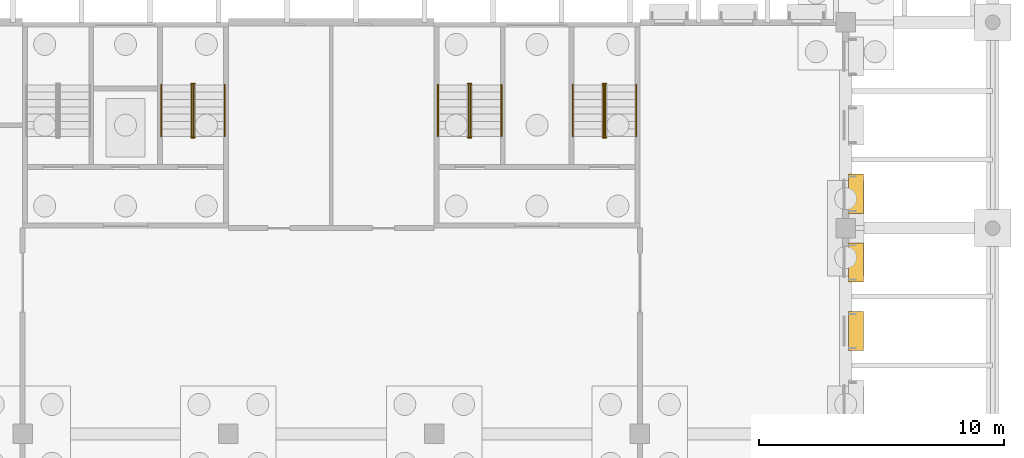
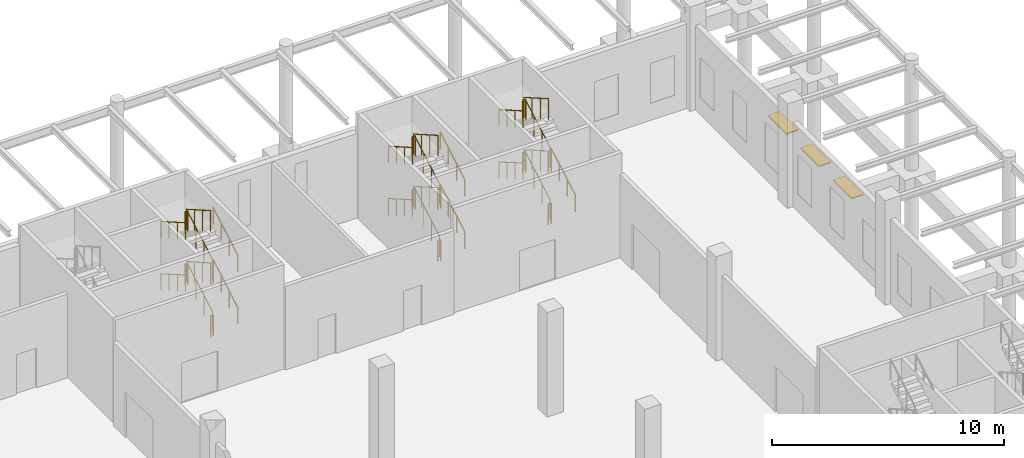
# One storey, part 80 of 82: 35 railings, 3 shading devices.
"""IFC4 building model written with IfcOpenShell, lengths in metres."""

from ifc_helpers import new_model, si_unit, direction, frame, origin, origin_2d, place, context, subcontext, project, spatial, rectangle, circle, extrude, material, material_profile, profile_set, type_object, element, save


model = new_model("IFC4")

# Units and contexts
model_context = context("Model", 3, precision=1e-05, world=origin(), true_north=direction((0.0, 1.0)))
body_context = subcontext(model_context, "Body", "Model", "MODEL_VIEW")
ifc_project = project(units=[si_unit("LENGTHUNIT", "METRE"), si_unit("AREAUNIT", "SQUARE_METRE"), si_unit("VOLUMEUNIT", "CUBIC_METRE"), si_unit("PLANEANGLEUNIT", "RADIAN"), si_unit("MASSUNIT", "GRAM", prefix="KILO")], contexts=[model_context])

# Site, building, storey
site_placement = place(None, origin())
site = spatial("IfcSite", under=ifc_project, at=site_placement, CompositionType="ELEMENT")
building_placement = place(site_placement, origin())
building = spatial("IfcBuilding", under=site, at=building_placement, Name="Almond Square Museum", CompositionType="ELEMENT")
storey_placement = place(building_placement, origin())
storey = spatial("IfcBuildingStorey", under=building, at=storey_placement, Name="L00", CompositionType="ELEMENT", Elevation=0.0)

# Railings
ifc_material_1 = material(Name="Stainless steel and laminated glass", Category="steel")
railing_type_1 = type_object("IfcRailingType", Name="Stair guard 1100 steel and glass", PredefinedType="GUARDRAIL", material=ifc_material_1)
railing_1_placement = place(storey_placement, frame((141.889892578125, 104.550048828125, 0.171875)))
element("IfcRailing", 1, at=railing_1_placement, inside=storey, type_object=railing_type_1, Name="L00 ST-05 stair guard 1", PredefinedType="GUARDRAIL", context=body_context, shape_type="SweptSolid", body=[
    extrude(circle(Radius=0.02392578125, at=origin_2d()), frame((0.0, 0.0, 1.076171875), z_axis=(0.0, 0.867671429157, 0.497138100556), x_axis=(-1.0, 0.0, 0.0)), (0.0, 0.0, 1.0), 2.420166015625),
    extrude(circle(Radius=0.02099609375, at=origin_2d()), origin(), (0.0, 0.0, 1.0), 1.052001953125),
    extrude(circle(Radius=0.02099609375, at=origin_2d()), frame((0.0, 0.699951171875, 0.401123046875)), (0.0, 0.0, 1.0), 1.052001953125),
    extrude(circle(Radius=0.02099609375, at=origin_2d()), frame((0.0, 1.39990234375, 0.802001953125)), (0.0, 0.0, 1.0), 1.052001953125),
    extrude(circle(Radius=0.02099609375, at=origin_2d()), frame((0.0, 2.099853515625, 1.203125)), (0.0, 0.0, 1.0), 1.052001953125),
])
railing_2_placement = place(storey_placement, frame((141.919921875, 106.699951171875, 1.375)))
element("IfcRailing", 2, at=railing_2_placement, inside=storey, type_object=railing_type_1, Name="L00 ST-05 stair guard 2", PredefinedType="GUARDRAIL", context=body_context, shape_type="SweptSolid", body=[
    extrude(circle(Radius=0.02392578125, at=origin_2d()), frame((0.0, 0.0, 1.076171875), z_axis=(-1.0, 0.0, 0.0), x_axis=(0.0, -1.0, 0.0)), (0.0, 0.0, 1.0), 0.139892578125),
    extrude(circle(Radius=0.02099609375, at=origin_2d()), origin(), (0.0, 0.0, 1.0), 1.052001953125),
    extrude(circle(Radius=0.02099609375, at=origin_2d()), frame((-0.139892578125, 0.0, 0.0)), (0.0, 0.0, 1.0), 1.052001953125),
])
railing_3_placement = place(storey_placement, frame((141.81005859375, 106.64990234375, 1.546875)))
element("IfcRailing", 3, at=railing_3_placement, inside=storey, type_object=railing_type_1, Name="L00 ST-05 stair guard 3", PredefinedType="GUARDRAIL", context=body_context, shape_type="SweptSolid", body=[
    extrude(circle(Radius=0.02392578125, at=origin_2d()), frame((0.0, 0.0, 1.076171875), z_axis=(0.0, -0.867671429157, 0.497138100556), x_axis=(1.0, 0.0, 0.0)), (0.0, 0.0, 1.0), 2.420166015625),
    extrude(circle(Radius=0.02099609375, at=origin_2d()), origin(), (0.0, 0.0, 1.0), 1.052001953125),
    extrude(circle(Radius=0.02099609375, at=origin_2d()), frame((0.0, -0.699951171875, 0.401123046875)), (0.0, 0.0, 1.0), 1.052001953125),
    extrude(circle(Radius=0.02099609375, at=origin_2d()), frame((0.0, -1.39990234375, 0.802001953125)), (0.0, 0.0, 1.0), 1.052001953125),
    extrude(circle(Radius=0.02099609375, at=origin_2d()), frame((0.0, -2.099853515625, 1.203125)), (0.0, 0.0, 1.0), 1.052001953125),
])
railing_4_placement = place(storey_placement, frame((141.919921875, 104.5, 2.75)))
element("IfcRailing", 4, at=railing_4_placement, inside=storey, type_object=railing_type_1, Name="L00 ST-05 stair guard 4", PredefinedType="GUARDRAIL", context=body_context, shape_type="SweptSolid", body=[
    extrude(circle(Radius=0.02392578125, at=origin_2d()), frame((0.0, 0.0, 1.076171875), z_axis=(-1.0, 0.0, 0.0), x_axis=(0.0, -1.0, 0.0)), (0.0, 0.0, 1.0), 0.139892578125),
    extrude(circle(Radius=0.02099609375, at=origin_2d()), origin(), (0.0, 0.0, 1.0), 1.052001953125),
    extrude(circle(Radius=0.02099609375, at=origin_2d()), frame((-0.139892578125, 0.0, 0.0)), (0.0, 0.0, 1.0), 1.052001953125),
])
railing_5_placement = place(storey_placement, frame((141.889892578125, 104.550048828125, 2.921875)))
element("IfcRailing", 5, at=railing_5_placement, inside=storey, type_object=railing_type_1, Name="L00 ST-05 stair guard 5", PredefinedType="GUARDRAIL", context=body_context, shape_type="SweptSolid", body=[
    extrude(circle(Radius=0.02392578125, at=origin_2d()), frame((0.0, 0.0, 1.076171875), z_axis=(0.0, 0.867671429157, 0.497138100556), x_axis=(-1.0, 0.0, 0.0)), (0.0, 0.0, 1.0), 2.420166015625),
    extrude(circle(Radius=0.02099609375, at=origin_2d()), origin(), (0.0, 0.0, 1.0), 1.052001953125),
    extrude(circle(Radius=0.02099609375, at=origin_2d()), frame((0.0, 0.699951171875, 0.401123046875)), (0.0, 0.0, 1.0), 1.052001953125),
    extrude(circle(Radius=0.02099609375, at=origin_2d()), frame((0.0, 1.39990234375, 0.802001953125)), (0.0, 0.0, 1.0), 1.052001953125),
    extrude(circle(Radius=0.02099609375, at=origin_2d()), frame((0.0, 2.099853515625, 1.203125)), (0.0, 0.0, 1.0), 1.052001953125),
])
railing_6_placement = place(storey_placement, frame((141.919921875, 106.699951171875, 4.125)))
element("IfcRailing", 6, at=railing_6_placement, inside=storey, type_object=railing_type_1, Name="L00 ST-05 stair guard 6", PredefinedType="GUARDRAIL", context=body_context, shape_type="SweptSolid", body=[
    extrude(circle(Radius=0.02392578125, at=origin_2d()), frame((0.0, 0.0, 1.076171875), z_axis=(-1.0, 0.0, 0.0), x_axis=(0.0, -1.0, 0.0)), (0.0, 0.0, 1.0), 0.139892578125),
    extrude(circle(Radius=0.02099609375, at=origin_2d()), origin(), (0.0, 0.0, 1.0), 1.052001953125),
    extrude(circle(Radius=0.02099609375, at=origin_2d()), frame((-0.139892578125, 0.0, 0.0)), (0.0, 0.0, 1.0), 1.052001953125),
])
railing_7_placement = place(storey_placement, frame((141.81005859375, 106.64990234375, 4.296875)))
element("IfcRailing", 7, at=railing_7_placement, inside=storey, type_object=railing_type_1, Name="L00 ST-05 stair guard 7", PredefinedType="GUARDRAIL", context=body_context, shape_type="SweptSolid", body=[
    extrude(circle(Radius=0.02392578125, at=origin_2d()), frame((0.0, 0.0, 1.076171875), z_axis=(0.0, -0.867671429157, 0.497138100556), x_axis=(1.0, 0.0, 0.0)), (0.0, 0.0, 1.0), 2.420166015625),
    extrude(circle(Radius=0.02099609375, at=origin_2d()), origin(), (0.0, 0.0, 1.0), 1.052001953125),
    extrude(circle(Radius=0.02099609375, at=origin_2d()), frame((0.0, -0.699951171875, 0.401123046875)), (0.0, 0.0, 1.0), 1.052001953125),
    extrude(circle(Radius=0.02099609375, at=origin_2d()), frame((0.0, -1.39990234375, 0.802001953125)), (0.0, 0.0, 1.0), 1.052001953125),
    extrude(circle(Radius=0.02099609375, at=origin_2d()), frame((0.0, -2.099853515625, 1.203125)), (0.0, 0.0, 1.0), 1.052001953125),
])
railing_8_placement = place(storey_placement, frame((141.919921875, 104.5, 0.0)))
element("IfcRailing", 8, at=railing_8_placement, inside=storey, type_object=railing_type_1, Name="L00 ST-05 stair guard 8", PredefinedType="GUARDRAIL", context=body_context, shape_type="SweptSolid", body=[
    extrude(circle(Radius=0.02392578125, at=origin_2d()), frame((0.0, 0.0, 1.076171875), z_axis=(-1.0, 0.0, 0.0), x_axis=(0.0, -1.0, 0.0)), (0.0, 0.0, 1.0), 0.139892578125),
    extrude(circle(Radius=0.02099609375, at=origin_2d()), origin(), (0.0, 0.0, 1.0), 1.052001953125),
    extrude(circle(Radius=0.02099609375, at=origin_2d()), frame((-0.139892578125, 0.0, 0.0)), (0.0, 0.0, 1.0), 1.052001953125),
])
railing_9_placement = place(storey_placement, frame((147.389892578125, 104.550048828125, 0.171875)))
element("IfcRailing", 9, at=railing_9_placement, inside=storey, type_object=railing_type_1, Name="L00 ST-06 stair guard 1", PredefinedType="GUARDRAIL", context=body_context, shape_type="SweptSolid", body=[
    extrude(circle(Radius=0.02392578125, at=origin_2d()), frame((0.0, 0.0, 1.076171875), z_axis=(0.0, 0.867671429157, 0.497138100556), x_axis=(-1.0, 0.0, 0.0)), (0.0, 0.0, 1.0), 2.420166015625),
    extrude(circle(Radius=0.02099609375, at=origin_2d()), origin(), (0.0, 0.0, 1.0), 1.052001953125),
    extrude(circle(Radius=0.02099609375, at=origin_2d()), frame((0.0, 0.699951171875, 0.401123046875)), (0.0, 0.0, 1.0), 1.052001953125),
    extrude(circle(Radius=0.02099609375, at=origin_2d()), frame((0.0, 1.39990234375, 0.802001953125)), (0.0, 0.0, 1.0), 1.052001953125),
    extrude(circle(Radius=0.02099609375, at=origin_2d()), frame((0.0, 2.099853515625, 1.203125)), (0.0, 0.0, 1.0), 1.052001953125),
])
railing_10_placement = place(storey_placement, frame((147.419921875, 106.699951171875, 1.375)))
element("IfcRailing", 10, at=railing_10_placement, inside=storey, type_object=railing_type_1, Name="L00 ST-06 stair guard 2", PredefinedType="GUARDRAIL", context=body_context, shape_type="SweptSolid", body=[
    extrude(circle(Radius=0.02392578125, at=origin_2d()), frame((0.0, 0.0, 1.076171875), z_axis=(-1.0, 0.0, 0.0), x_axis=(0.0, -1.0, 0.0)), (0.0, 0.0, 1.0), 0.139892578125),
    extrude(circle(Radius=0.02099609375, at=origin_2d()), origin(), (0.0, 0.0, 1.0), 1.052001953125),
    extrude(circle(Radius=0.02099609375, at=origin_2d()), frame((-0.139892578125, 0.0, 0.0)), (0.0, 0.0, 1.0), 1.052001953125),
])
railing_11_placement = place(storey_placement, frame((147.31005859375, 106.64990234375, 1.546875)))
element("IfcRailing", 11, at=railing_11_placement, inside=storey, type_object=railing_type_1, Name="L00 ST-06 stair guard 3", PredefinedType="GUARDRAIL", context=body_context, shape_type="SweptSolid", body=[
    extrude(circle(Radius=0.02392578125, at=origin_2d()), frame((0.0, 0.0, 1.076171875), z_axis=(0.0, -0.867671429157, 0.497138100556), x_axis=(1.0, 0.0, 0.0)), (0.0, 0.0, 1.0), 2.420166015625),
    extrude(circle(Radius=0.02099609375, at=origin_2d()), origin(), (0.0, 0.0, 1.0), 1.052001953125),
    extrude(circle(Radius=0.02099609375, at=origin_2d()), frame((0.0, -0.699951171875, 0.401123046875)), (0.0, 0.0, 1.0), 1.052001953125),
    extrude(circle(Radius=0.02099609375, at=origin_2d()), frame((0.0, -1.39990234375, 0.802001953125)), (0.0, 0.0, 1.0), 1.052001953125),
    extrude(circle(Radius=0.02099609375, at=origin_2d()), frame((0.0, -2.099853515625, 1.203125)), (0.0, 0.0, 1.0), 1.052001953125),
])
railing_12_placement = place(storey_placement, frame((147.419921875, 104.5, 2.75)))
element("IfcRailing", 12, at=railing_12_placement, inside=storey, type_object=railing_type_1, Name="L00 ST-06 stair guard 4", PredefinedType="GUARDRAIL", context=body_context, shape_type="SweptSolid", body=[
    extrude(circle(Radius=0.02392578125, at=origin_2d()), frame((0.0, 0.0, 1.076171875), z_axis=(-1.0, 0.0, 0.0), x_axis=(0.0, -1.0, 0.0)), (0.0, 0.0, 1.0), 0.139892578125),
    extrude(circle(Radius=0.02099609375, at=origin_2d()), origin(), (0.0, 0.0, 1.0), 1.052001953125),
    extrude(circle(Radius=0.02099609375, at=origin_2d()), frame((-0.139892578125, 0.0, 0.0)), (0.0, 0.0, 1.0), 1.052001953125),
])
railing_13_placement = place(storey_placement, frame((147.389892578125, 104.550048828125, 2.921875)))
element("IfcRailing", 13, at=railing_13_placement, inside=storey, type_object=railing_type_1, Name="L00 ST-06 stair guard 5", PredefinedType="GUARDRAIL", context=body_context, shape_type="SweptSolid", body=[
    extrude(circle(Radius=0.02392578125, at=origin_2d()), frame((0.0, 0.0, 1.076171875), z_axis=(0.0, 0.867671429157, 0.497138100556), x_axis=(-1.0, 0.0, 0.0)), (0.0, 0.0, 1.0), 2.420166015625),
    extrude(circle(Radius=0.02099609375, at=origin_2d()), origin(), (0.0, 0.0, 1.0), 1.052001953125),
    extrude(circle(Radius=0.02099609375, at=origin_2d()), frame((0.0, 0.699951171875, 0.401123046875)), (0.0, 0.0, 1.0), 1.052001953125),
    extrude(circle(Radius=0.02099609375, at=origin_2d()), frame((0.0, 1.39990234375, 0.802001953125)), (0.0, 0.0, 1.0), 1.052001953125),
    extrude(circle(Radius=0.02099609375, at=origin_2d()), frame((0.0, 2.099853515625, 1.203125)), (0.0, 0.0, 1.0), 1.052001953125),
])
railing_14_placement = place(storey_placement, frame((147.419921875, 106.699951171875, 4.125)))
element("IfcRailing", 14, at=railing_14_placement, inside=storey, type_object=railing_type_1, Name="L00 ST-06 stair guard 6", PredefinedType="GUARDRAIL", context=body_context, shape_type="SweptSolid", body=[
    extrude(circle(Radius=0.02392578125, at=origin_2d()), frame((0.0, 0.0, 1.076171875), z_axis=(-1.0, 0.0, 0.0), x_axis=(0.0, -1.0, 0.0)), (0.0, 0.0, 1.0), 0.139892578125),
    extrude(circle(Radius=0.02099609375, at=origin_2d()), origin(), (0.0, 0.0, 1.0), 1.052001953125),
    extrude(circle(Radius=0.02099609375, at=origin_2d()), frame((-0.139892578125, 0.0, 0.0)), (0.0, 0.0, 1.0), 1.052001953125),
])
railing_15_placement = place(storey_placement, frame((147.31005859375, 106.64990234375, 4.296875)))
element("IfcRailing", 15, at=railing_15_placement, inside=storey, type_object=railing_type_1, Name="L00 ST-06 stair guard 7", PredefinedType="GUARDRAIL", context=body_context, shape_type="SweptSolid", body=[
    extrude(circle(Radius=0.02392578125, at=origin_2d()), frame((0.0, 0.0, 1.076171875), z_axis=(0.0, -0.867671429157, 0.497138100556), x_axis=(1.0, 0.0, 0.0)), (0.0, 0.0, 1.0), 2.420166015625),
    extrude(circle(Radius=0.02099609375, at=origin_2d()), origin(), (0.0, 0.0, 1.0), 1.052001953125),
    extrude(circle(Radius=0.02099609375, at=origin_2d()), frame((0.0, -0.699951171875, 0.401123046875)), (0.0, 0.0, 1.0), 1.052001953125),
    extrude(circle(Radius=0.02099609375, at=origin_2d()), frame((0.0, -1.39990234375, 0.802001953125)), (0.0, 0.0, 1.0), 1.052001953125),
    extrude(circle(Radius=0.02099609375, at=origin_2d()), frame((0.0, -2.099853515625, 1.203125)), (0.0, 0.0, 1.0), 1.052001953125),
])
railing_16_placement = place(storey_placement, frame((147.419921875, 104.5, 0.0)))
element("IfcRailing", 16, at=railing_16_placement, inside=storey, type_object=railing_type_1, Name="L00 ST-06 stair guard 8", PredefinedType="GUARDRAIL", context=body_context, shape_type="SweptSolid", body=[
    extrude(circle(Radius=0.02392578125, at=origin_2d()), frame((0.0, 0.0, 1.076171875), z_axis=(-1.0, 0.0, 0.0), x_axis=(0.0, -1.0, 0.0)), (0.0, 0.0, 1.0), 0.139892578125),
    extrude(circle(Radius=0.02099609375, at=origin_2d()), origin(), (0.0, 0.0, 1.0), 1.052001953125),
    extrude(circle(Radius=0.02099609375, at=origin_2d()), frame((-0.139892578125, 0.0, 0.0)), (0.0, 0.0, 1.0), 1.052001953125),
])
railing_17_placement = place(storey_placement, frame((130.590087890625, 104.550048828125, 0.171875)))
element("IfcRailing", 17, at=railing_17_placement, inside=storey, type_object=railing_type_1, Name="L00 ST-08 stair guard 1", PredefinedType="GUARDRAIL", context=body_context, shape_type="SweptSolid", body=[
    extrude(circle(Radius=0.02392578125, at=origin_2d()), frame((0.0, 0.0, 1.076171875), z_axis=(0.0, 0.867671429157, 0.497138100556), x_axis=(-1.0, 0.0, 0.0)), (0.0, 0.0, 1.0), 2.420166015625),
    extrude(circle(Radius=0.02099609375, at=origin_2d()), origin(), (0.0, 0.0, 1.0), 1.052001953125),
    extrude(circle(Radius=0.02099609375, at=origin_2d()), frame((0.0, 0.699951171875, 0.401123046875)), (0.0, 0.0, 1.0), 1.052001953125),
    extrude(circle(Radius=0.02099609375, at=origin_2d()), frame((0.0, 1.39990234375, 0.802001953125)), (0.0, 0.0, 1.0), 1.052001953125),
    extrude(circle(Radius=0.02099609375, at=origin_2d()), frame((0.0, 2.099853515625, 1.203125)), (0.0, 0.0, 1.0), 1.052001953125),
])
railing_18_placement = place(storey_placement, frame((130.6201171875, 106.699951171875, 1.375)))
element("IfcRailing", 18, at=railing_18_placement, inside=storey, type_object=railing_type_1, Name="L00 ST-08 stair guard 2", PredefinedType="GUARDRAIL", context=body_context, shape_type="SweptSolid", body=[
    extrude(circle(Radius=0.02392578125, at=origin_2d()), frame((0.0, 0.0, 1.076171875), z_axis=(-1.0, 0.0, 0.0), x_axis=(0.0, -1.0, 0.0)), (0.0, 0.0, 1.0), 0.14013671875),
    extrude(circle(Radius=0.02099609375, at=origin_2d()), origin(), (0.0, 0.0, 1.0), 1.052001953125),
    extrude(circle(Radius=0.02099609375, at=origin_2d()), frame((-0.14013671875, 0.0, 0.0)), (0.0, 0.0, 1.0), 1.052001953125),
])
railing_19_placement = place(storey_placement, frame((130.510009765625, 106.64990234375, 1.546875)))
element("IfcRailing", 19, at=railing_19_placement, inside=storey, type_object=railing_type_1, Name="L00 ST-08 stair guard 3", PredefinedType="GUARDRAIL", context=body_context, shape_type="SweptSolid", body=[
    extrude(circle(Radius=0.02392578125, at=origin_2d()), frame((0.0, 0.0, 1.076171875), z_axis=(0.0, -0.867671429157, 0.497138100556), x_axis=(1.0, 0.0, 0.0)), (0.0, 0.0, 1.0), 2.420166015625),
    extrude(circle(Radius=0.02099609375, at=origin_2d()), origin(), (0.0, 0.0, 1.0), 1.052001953125),
    extrude(circle(Radius=0.02099609375, at=origin_2d()), frame((0.0, -0.699951171875, 0.401123046875)), (0.0, 0.0, 1.0), 1.052001953125),
    extrude(circle(Radius=0.02099609375, at=origin_2d()), frame((0.0, -1.39990234375, 0.802001953125)), (0.0, 0.0, 1.0), 1.052001953125),
    extrude(circle(Radius=0.02099609375, at=origin_2d()), frame((0.0, -2.099853515625, 1.203125)), (0.0, 0.0, 1.0), 1.052001953125),
])
railing_20_placement = place(storey_placement, frame((130.6201171875, 104.5, 2.75)))
element("IfcRailing", 20, at=railing_20_placement, inside=storey, type_object=railing_type_1, Name="L00 ST-08 stair guard 4", PredefinedType="GUARDRAIL", context=body_context, shape_type="SweptSolid", body=[
    extrude(circle(Radius=0.02392578125, at=origin_2d()), frame((0.0, 0.0, 1.076171875), z_axis=(-1.0, 0.0, 0.0), x_axis=(0.0, -1.0, 0.0)), (0.0, 0.0, 1.0), 0.14013671875),
    extrude(circle(Radius=0.02099609375, at=origin_2d()), origin(), (0.0, 0.0, 1.0), 1.052001953125),
    extrude(circle(Radius=0.02099609375, at=origin_2d()), frame((-0.14013671875, 0.0, 0.0)), (0.0, 0.0, 1.0), 1.052001953125),
])
railing_21_placement = place(storey_placement, frame((130.590087890625, 104.550048828125, 2.921875)))
element("IfcRailing", 21, at=railing_21_placement, inside=storey, type_object=railing_type_1, Name="L00 ST-08 stair guard 5", PredefinedType="GUARDRAIL", context=body_context, shape_type="SweptSolid", body=[
    extrude(circle(Radius=0.02392578125, at=origin_2d()), frame((0.0, 0.0, 1.076171875), z_axis=(0.0, 0.867671429157, 0.497138100556), x_axis=(-1.0, 0.0, 0.0)), (0.0, 0.0, 1.0), 2.420166015625),
    extrude(circle(Radius=0.02099609375, at=origin_2d()), origin(), (0.0, 0.0, 1.0), 1.052001953125),
    extrude(circle(Radius=0.02099609375, at=origin_2d()), frame((0.0, 0.699951171875, 0.401123046875)), (0.0, 0.0, 1.0), 1.052001953125),
    extrude(circle(Radius=0.02099609375, at=origin_2d()), frame((0.0, 1.39990234375, 0.802001953125)), (0.0, 0.0, 1.0), 1.052001953125),
    extrude(circle(Radius=0.02099609375, at=origin_2d()), frame((0.0, 2.099853515625, 1.203125)), (0.0, 0.0, 1.0), 1.052001953125),
])
railing_22_placement = place(storey_placement, frame((130.6201171875, 106.699951171875, 4.125)))
element("IfcRailing", 22, at=railing_22_placement, inside=storey, type_object=railing_type_1, Name="L00 ST-08 stair guard 6", PredefinedType="GUARDRAIL", context=body_context, shape_type="SweptSolid", body=[
    extrude(circle(Radius=0.02392578125, at=origin_2d()), frame((0.0, 0.0, 1.076171875), z_axis=(-1.0, 0.0, 0.0), x_axis=(0.0, -1.0, 0.0)), (0.0, 0.0, 1.0), 0.14013671875),
    extrude(circle(Radius=0.02099609375, at=origin_2d()), origin(), (0.0, 0.0, 1.0), 1.052001953125),
    extrude(circle(Radius=0.02099609375, at=origin_2d()), frame((-0.14013671875, 0.0, 0.0)), (0.0, 0.0, 1.0), 1.052001953125),
])
railing_23_placement = place(storey_placement, frame((130.510009765625, 106.64990234375, 4.296875)))
element("IfcRailing", 23, at=railing_23_placement, inside=storey, type_object=railing_type_1, Name="L00 ST-08 stair guard 7", PredefinedType="GUARDRAIL", context=body_context, shape_type="SweptSolid", body=[
    extrude(circle(Radius=0.02392578125, at=origin_2d()), frame((0.0, 0.0, 1.076171875), z_axis=(0.0, -0.867671429157, 0.497138100556), x_axis=(1.0, 0.0, 0.0)), (0.0, 0.0, 1.0), 2.420166015625),
    extrude(circle(Radius=0.02099609375, at=origin_2d()), origin(), (0.0, 0.0, 1.0), 1.052001953125),
    extrude(circle(Radius=0.02099609375, at=origin_2d()), frame((0.0, -0.699951171875, 0.401123046875)), (0.0, 0.0, 1.0), 1.052001953125),
    extrude(circle(Radius=0.02099609375, at=origin_2d()), frame((0.0, -1.39990234375, 0.802001953125)), (0.0, 0.0, 1.0), 1.052001953125),
    extrude(circle(Radius=0.02099609375, at=origin_2d()), frame((0.0, -2.099853515625, 1.203125)), (0.0, 0.0, 1.0), 1.052001953125),
])
railing_24_placement = place(storey_placement, frame((130.6201171875, 104.5, 0.0)))
element("IfcRailing", 24, at=railing_24_placement, inside=storey, type_object=railing_type_1, Name="L00 ST-08 stair guard 8", PredefinedType="GUARDRAIL", context=body_context, shape_type="SweptSolid", body=[
    extrude(circle(Radius=0.02392578125, at=origin_2d()), frame((0.0, 0.0, 1.076171875), z_axis=(-1.0, 0.0, 0.0), x_axis=(0.0, -1.0, 0.0)), (0.0, 0.0, 1.0), 0.14013671875),
    extrude(circle(Radius=0.02099609375, at=origin_2d()), origin(), (0.0, 0.0, 1.0), 1.052001953125),
    extrude(circle(Radius=0.02099609375, at=origin_2d()), frame((-0.14013671875, 0.0, 0.0)), (0.0, 0.0, 1.0), 1.052001953125),
])
ifc_material_2 = material(Name="Stainless steel", Category="steel")
railing_type_2 = type_object("IfcRailingType", Name="Stair handrail 900 steel", PredefinedType="HANDRAIL", material=ifc_material_2)
railing_25_placement = place(storey_placement, frame((143.14501953125, 104.550048828125, 0.171875)))
element("IfcRailing", 25, at=railing_25_placement, inside=storey, type_object=railing_type_2, Name="L00 ST-05 stair handrail 1", PredefinedType="HANDRAIL", context=body_context, shape_type="SweptSolid", body=[
    extrude(circle(Radius=0.02392578125, at=origin_2d()), frame((0.0, 0.0, 0.8759765625), z_axis=(0.0, 0.867671429157, 0.497138100556), x_axis=(-1.0, 0.0, 0.0)), (0.0, 0.0, 1.0), 2.420166015625),
    extrude(circle(Radius=0.02099609375, at=origin_2d()), origin(), (0.0, 0.0, 1.0), 0.851806640625),
    extrude(circle(Radius=0.02099609375, at=origin_2d()), frame((0.0, 0.699951171875, 0.401123046875)), (0.0, 0.0, 1.0), 0.851806640625),
    extrude(circle(Radius=0.02099609375, at=origin_2d()), frame((0.0, 1.39990234375, 0.802001953125)), (0.0, 0.0, 1.0), 0.851806640625),
    extrude(circle(Radius=0.02099609375, at=origin_2d()), frame((0.0, 2.099853515625, 1.203125)), (0.0, 0.0, 1.0), 0.851806640625),
])
railing_26_placement = place(storey_placement, frame((140.554931640625, 106.64990234375, 1.546875)))
element("IfcRailing", 26, at=railing_26_placement, inside=storey, type_object=railing_type_2, Name="L00 ST-05 stair handrail 2", PredefinedType="HANDRAIL", context=body_context, shape_type="SweptSolid", body=[
    extrude(circle(Radius=0.02392578125, at=origin_2d()), frame((0.0, 0.0, 0.8759765625), z_axis=(0.0, -0.867671429157, 0.497138100556), x_axis=(1.0, 0.0, 0.0)), (0.0, 0.0, 1.0), 2.420166015625),
    extrude(circle(Radius=0.02099609375, at=origin_2d()), origin(), (0.0, 0.0, 1.0), 0.851806640625),
    extrude(circle(Radius=0.02099609375, at=origin_2d()), frame((0.0, -0.699951171875, 0.401123046875)), (0.0, 0.0, 1.0), 0.851806640625),
    extrude(circle(Radius=0.02099609375, at=origin_2d()), frame((0.0, -1.39990234375, 0.802001953125)), (0.0, 0.0, 1.0), 0.851806640625),
    extrude(circle(Radius=0.02099609375, at=origin_2d()), frame((0.0, -2.099853515625, 1.203125)), (0.0, 0.0, 1.0), 0.851806640625),
])
railing_27_placement = place(storey_placement, frame((143.14501953125, 104.550048828125, 2.921875)))
element("IfcRailing", 27, at=railing_27_placement, inside=storey, type_object=railing_type_2, Name="L00 ST-05 stair handrail 3", PredefinedType="HANDRAIL", context=body_context, shape_type="SweptSolid", body=[
    extrude(circle(Radius=0.02392578125, at=origin_2d()), frame((0.0, 0.0, 0.8759765625), z_axis=(0.0, 0.867671429157, 0.497138100556), x_axis=(-1.0, 0.0, 0.0)), (0.0, 0.0, 1.0), 2.420166015625),
    extrude(circle(Radius=0.02099609375, at=origin_2d()), origin(), (0.0, 0.0, 1.0), 0.851806640625),
    extrude(circle(Radius=0.02099609375, at=origin_2d()), frame((0.0, 0.699951171875, 0.401123046875)), (0.0, 0.0, 1.0), 0.851806640625),
    extrude(circle(Radius=0.02099609375, at=origin_2d()), frame((0.0, 1.39990234375, 0.802001953125)), (0.0, 0.0, 1.0), 0.851806640625),
    extrude(circle(Radius=0.02099609375, at=origin_2d()), frame((0.0, 2.099853515625, 1.203125)), (0.0, 0.0, 1.0), 0.851806640625),
])
railing_28_placement = place(storey_placement, frame((140.554931640625, 106.64990234375, 4.296875)))
element("IfcRailing", 28, at=railing_28_placement, inside=storey, type_object=railing_type_2, Name="L00 ST-05 stair handrail 4", PredefinedType="HANDRAIL", context=body_context, shape_type="SweptSolid", body=[
    extrude(circle(Radius=0.02392578125, at=origin_2d()), frame((0.0, 0.0, 0.8759765625), z_axis=(0.0, -0.867671429157, 0.497138100556), x_axis=(1.0, 0.0, 0.0)), (0.0, 0.0, 1.0), 2.420166015625),
    extrude(circle(Radius=0.02099609375, at=origin_2d()), origin(), (0.0, 0.0, 1.0), 0.851806640625),
    extrude(circle(Radius=0.02099609375, at=origin_2d()), frame((0.0, -0.699951171875, 0.401123046875)), (0.0, 0.0, 1.0), 0.851806640625),
    extrude(circle(Radius=0.02099609375, at=origin_2d()), frame((0.0, -1.39990234375, 0.802001953125)), (0.0, 0.0, 1.0), 0.851806640625),
    extrude(circle(Radius=0.02099609375, at=origin_2d()), frame((0.0, -2.099853515625, 1.203125)), (0.0, 0.0, 1.0), 0.851806640625),
])
railing_29_placement = place(storey_placement, frame((148.64501953125, 104.550048828125, 0.171875)))
element("IfcRailing", 29, at=railing_29_placement, inside=storey, type_object=railing_type_2, Name="L00 ST-06 stair handrail 1", PredefinedType="HANDRAIL", context=body_context, shape_type="SweptSolid", body=[
    extrude(circle(Radius=0.02392578125, at=origin_2d()), frame((0.0, 0.0, 0.8759765625), z_axis=(0.0, 0.867671429157, 0.497138100556), x_axis=(-1.0, 0.0, 0.0)), (0.0, 0.0, 1.0), 2.420166015625),
    extrude(circle(Radius=0.02099609375, at=origin_2d()), origin(), (0.0, 0.0, 1.0), 0.851806640625),
    extrude(circle(Radius=0.02099609375, at=origin_2d()), frame((0.0, 0.699951171875, 0.401123046875)), (0.0, 0.0, 1.0), 0.851806640625),
    extrude(circle(Radius=0.02099609375, at=origin_2d()), frame((0.0, 1.39990234375, 0.802001953125)), (0.0, 0.0, 1.0), 0.851806640625),
    extrude(circle(Radius=0.02099609375, at=origin_2d()), frame((0.0, 2.099853515625, 1.203125)), (0.0, 0.0, 1.0), 0.851806640625),
])
for number, where, name in (
    (30, (146.054931640625, 106.64990234375, 1.546875), "L00 ST-06 stair handrail 2"),
    (31, (146.054931640625, 106.64990234375, 4.296875), "L00 ST-06 stair handrail 4"),
):
    element("IfcRailing", number, at=place(storey_placement, frame(where)), inside=storey, type_object=railing_type_2, Name=name, PredefinedType="HANDRAIL", context=body_context, shape_type="SweptSolid", body=[
        extrude(circle(Radius=0.02392578125, at=origin_2d()), frame((0.0, 0.0, 0.8759765625), z_axis=(0.0, -0.867671429157, 0.497138100556), x_axis=(1.0, 0.0, 0.0)), (0.0, 0.0, 1.0), 2.420166015625),
        extrude(circle(Radius=0.02099609375, at=origin_2d()), origin(), (0.0, 0.0, 1.0), 0.851806640625),
        extrude(circle(Radius=0.02099609375, at=origin_2d()), frame((0.0, -0.699951171875, 0.401123046875)), (0.0, 0.0, 1.0), 0.851806640625),
        extrude(circle(Radius=0.02099609375, at=origin_2d()), frame((0.0, -1.39990234375, 0.802001953125)), (0.0, 0.0, 1.0), 0.851806640625),
        extrude(circle(Radius=0.02099609375, at=origin_2d()), frame((0.0, -2.099853515625, 1.203125)), (0.0, 0.0, 1.0), 0.851806640625),
    ])
railing_30_placement = place(storey_placement, frame((131.844970703125, 104.550048828125, 0.171875)))
element("IfcRailing", 32, at=railing_30_placement, inside=storey, type_object=railing_type_2, Name="L00 ST-08 stair handrail 1", PredefinedType="HANDRAIL", context=body_context, shape_type="SweptSolid", body=[
    extrude(circle(Radius=0.02392578125, at=origin_2d()), frame((0.0, 0.0, 0.8759765625), z_axis=(0.0, 0.867671429157, 0.497138100556), x_axis=(-1.0, 0.0, 0.0)), (0.0, 0.0, 1.0), 2.420166015625),
    extrude(circle(Radius=0.02099609375, at=origin_2d()), origin(), (0.0, 0.0, 1.0), 0.851806640625),
    extrude(circle(Radius=0.02099609375, at=origin_2d()), frame((0.0, 0.699951171875, 0.401123046875)), (0.0, 0.0, 1.0), 0.851806640625),
    extrude(circle(Radius=0.02099609375, at=origin_2d()), frame((0.0, 1.39990234375, 0.802001953125)), (0.0, 0.0, 1.0), 0.851806640625),
    extrude(circle(Radius=0.02099609375, at=origin_2d()), frame((0.0, 2.099853515625, 1.203125)), (0.0, 0.0, 1.0), 0.851806640625),
])
railing_31_placement = place(storey_placement, frame((129.2548828125, 106.64990234375, 1.546875)))
element("IfcRailing", 33, at=railing_31_placement, inside=storey, type_object=railing_type_2, Name="L00 ST-08 stair handrail 2", PredefinedType="HANDRAIL", context=body_context, shape_type="SweptSolid", body=[
    extrude(circle(Radius=0.02392578125, at=origin_2d()), frame((0.0, 0.0, 0.8759765625), z_axis=(0.0, -0.867671429157, 0.497138100556), x_axis=(1.0, 0.0, 0.0)), (0.0, 0.0, 1.0), 2.420166015625),
    extrude(circle(Radius=0.02099609375, at=origin_2d()), origin(), (0.0, 0.0, 1.0), 0.851806640625),
    extrude(circle(Radius=0.02099609375, at=origin_2d()), frame((0.0, -0.699951171875, 0.401123046875)), (0.0, 0.0, 1.0), 0.851806640625),
    extrude(circle(Radius=0.02099609375, at=origin_2d()), frame((0.0, -1.39990234375, 0.802001953125)), (0.0, 0.0, 1.0), 0.851806640625),
    extrude(circle(Radius=0.02099609375, at=origin_2d()), frame((0.0, -2.099853515625, 1.203125)), (0.0, 0.0, 1.0), 0.851806640625),
])
railing_32_placement = place(storey_placement, frame((131.844970703125, 104.550048828125, 2.921875)))
element("IfcRailing", 34, at=railing_32_placement, inside=storey, type_object=railing_type_2, Name="L00 ST-08 stair handrail 3", PredefinedType="HANDRAIL", context=body_context, shape_type="SweptSolid", body=[
    extrude(circle(Radius=0.02392578125, at=origin_2d()), frame((0.0, 0.0, 0.8759765625), z_axis=(0.0, 0.867671429157, 0.497138100556), x_axis=(-1.0, 0.0, 0.0)), (0.0, 0.0, 1.0), 2.420166015625),
    extrude(circle(Radius=0.02099609375, at=origin_2d()), origin(), (0.0, 0.0, 1.0), 0.851806640625),
    extrude(circle(Radius=0.02099609375, at=origin_2d()), frame((0.0, 0.699951171875, 0.401123046875)), (0.0, 0.0, 1.0), 0.851806640625),
    extrude(circle(Radius=0.02099609375, at=origin_2d()), frame((0.0, 1.39990234375, 0.802001953125)), (0.0, 0.0, 1.0), 0.851806640625),
    extrude(circle(Radius=0.02099609375, at=origin_2d()), frame((0.0, 2.099853515625, 1.203125)), (0.0, 0.0, 1.0), 0.851806640625),
])
railing_33_placement = place(storey_placement, frame((129.2548828125, 106.64990234375, 4.296875)))
element("IfcRailing", 35, at=railing_33_placement, inside=storey, type_object=railing_type_2, Name="L00 ST-08 stair handrail 4", PredefinedType="HANDRAIL", context=body_context, shape_type="SweptSolid", body=[
    extrude(circle(Radius=0.02392578125, at=origin_2d()), frame((0.0, 0.0, 0.8759765625), z_axis=(0.0, -0.867671429157, 0.497138100556), x_axis=(1.0, 0.0, 0.0)), (0.0, 0.0, 1.0), 2.420166015625),
    extrude(circle(Radius=0.02099609375, at=origin_2d()), origin(), (0.0, 0.0, 1.0), 0.851806640625),
    extrude(circle(Radius=0.02099609375, at=origin_2d()), frame((0.0, -0.699951171875, 0.401123046875)), (0.0, 0.0, 1.0), 0.851806640625),
    extrude(circle(Radius=0.02099609375, at=origin_2d()), frame((0.0, -1.39990234375, 0.802001953125)), (0.0, 0.0, 1.0), 0.851806640625),
    extrude(circle(Radius=0.02099609375, at=origin_2d()), frame((0.0, -2.099853515625, 1.203125)), (0.0, 0.0, 1.0), 0.851806640625),
])

# Shading devices
ifc_material_3 = material(Name="Anodised aluminium", Category="aluminium")
ifc_material_profile = material_profile(ifc_material_3, rectangle(XDim=0.60009765625, YDim=0.050048828125, at=origin_2d()))
ifc_profile_set = profile_set([ifc_material_profile], Name="Anodised aluminium")
shading_device_type = type_object("IfcShadingDeviceType", Name="Sun-shade blade 600 x 50", PredefinedType="USERDEFINED", material=ifc_profile_set)
for number, where, z_axis, x_axis, name in (
    (36, (157.623046875, 95.800048828125, 3.1201171875), (0.0, 1.0, 0.0), (-1.0, 0.0, 0.0), "Sun-shade blade"),
    (37, (157.623046875, 98.60009765625, 3.1201171875), (0.0, 1.0, 0.0), (-1.0, 0.0, 0.0), "Sun-shade blade"),
):
    element("IfcShadingDevice", number, at=place(storey_placement, frame(where, z_axis=z_axis, x_axis=x_axis)), inside=storey, type_object=shading_device_type, Name=name, ObjectType="LOUVRE", PredefinedType="USERDEFINED", context=body_context, shape_type="SweptSolid", body=[
        extrude(rectangle(XDim=0.60009765625, YDim=0.050048828125, at=origin_2d()), origin(), (0.0, 0.0, 1.0), 1.599853515625),
    ])
shading_device_placement = place(storey_placement, frame((157.623046875, 101.39990234375, 3.1201171875), z_axis=(0.0, 1.0, 0.0), x_axis=(-1.0, 0.0, 0.0)))
element("IfcShadingDevice", 38, at=shading_device_placement, inside=storey, type_object=shading_device_type, Name="Sun-shade blade", ObjectType="LOUVRE", PredefinedType="USERDEFINED", context=body_context, shape_type="SweptSolid", body=[
    extrude(rectangle(XDim=0.60009765625, YDim=0.050048828125, at=origin_2d()), origin(), (0.0, 0.0, 1.0), 1.60009765625),
])

save(model, "model.ifc")
